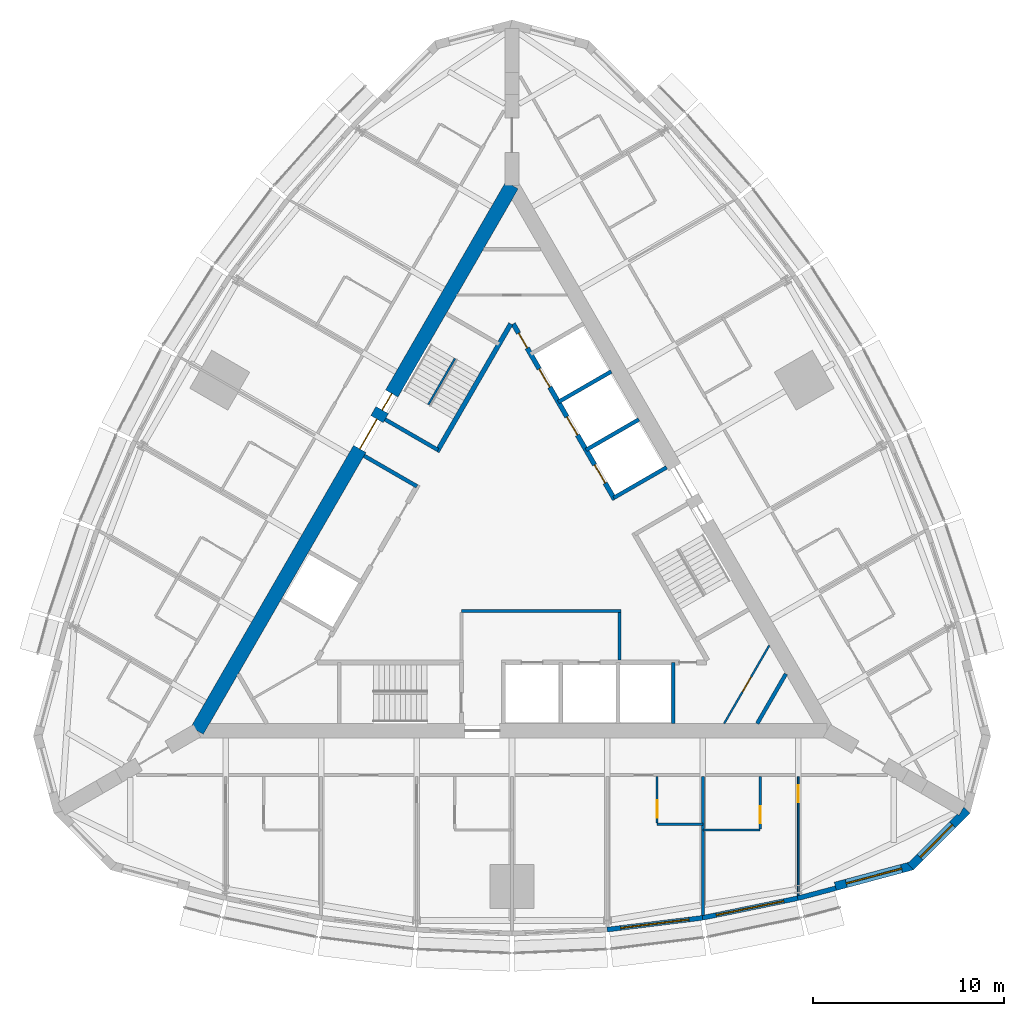
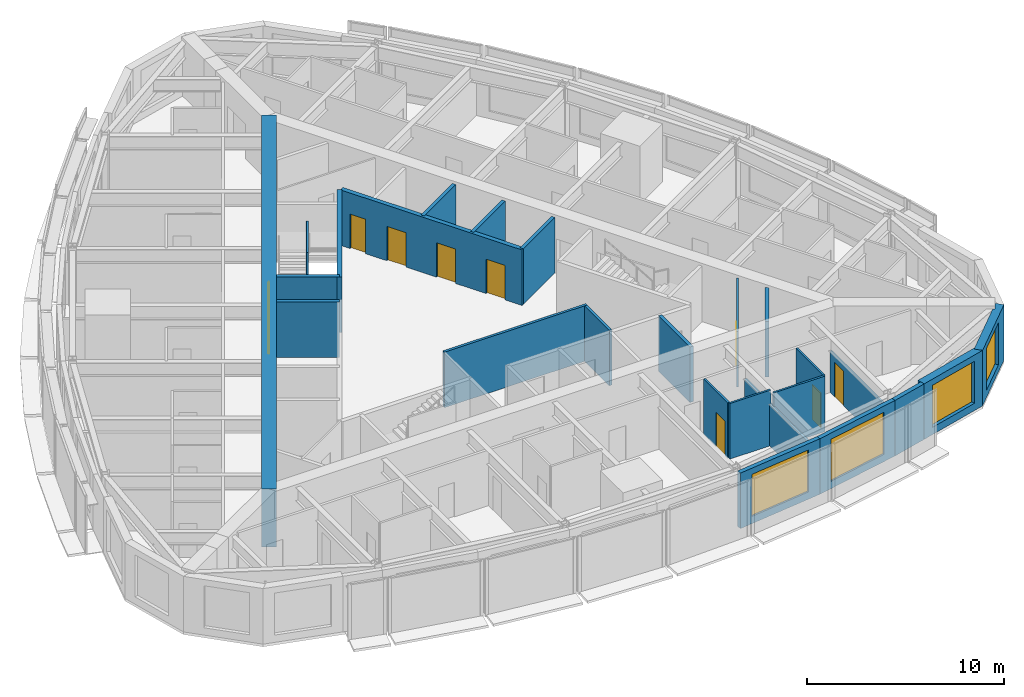
# One storey, part 11 of 15: 25 walls, 10 doors, 4 windows, 14 openings.
"""IFC4 building model written with IfcOpenShell, lengths in metres."""

from ifc_helpers import new_model, si_unit, direction, frame, frame_2d, origin, place, context, subcontext, project, spatial, polyline, rectangle, outline, extrude, material, layer, layer_set, type_object, element, fill, save


model = new_model("IFC4")

# Units and contexts
model_context = context("Model", 3, precision=1e-05, world=origin(), true_north=direction((0.0, 1.0)))
body_context = subcontext(model_context, "Body", "Model", "MODEL_VIEW")
ifc_project = project(units=[si_unit("LENGTHUNIT", "METRE"), si_unit("AREAUNIT", "SQUARE_METRE"), si_unit("VOLUMEUNIT", "CUBIC_METRE"), si_unit("PLANEANGLEUNIT", "RADIAN"), si_unit("MASSUNIT", "GRAM", prefix="KILO")], contexts=[model_context])

# Site, building, storey
site_placement = place(None, origin())
site = spatial("IfcSite", under=ifc_project, at=site_placement, CompositionType="ELEMENT")
building_placement = place(site_placement, origin())
building = spatial("IfcBuilding", under=site, at=building_placement, Name="Trikona Tower", CompositionType="ELEMENT")
storey_placement = place(building_placement, frame((0.0, 0.0, 211.699951171875)))
storey = spatial("IfcBuildingStorey", under=building, at=storey_placement, Name="L56", CompositionType="ELEMENT", Elevation=211.699951171875)

# Wall
ifc_material_1 = material(Name="Metal stud and cement board", Category="gypsum")
ifc_layer_1 = layer(ifc_material_1, 0.1201171875)
ifc_layer_set_1 = layer_set([ifc_layer_1], Name="Bathroom wall 120")
wall_type_1 = type_object("IfcWallType", Name="Bathroom wall 120", PredefinedType="PLUMBINGWALL", material=ifc_layer_set_1)
wall_1_placement = place(storey_placement, frame((7.60009765625, -14.42626953125, 0.0), z_axis=(0.0, 0.0, 1.0), x_axis=(1.0, 0.0, 0.0)))
element("IfcWall", 1, at=wall_1_placement, inside=storey, type_object=wall_type_1, Name="Bathroom wall 5603", PredefinedType="PLUMBINGWALL", context=body_context, shape_type="SweptSolid", body=[
    extrude(rectangle(XDim=2.39990234375, YDim=0.1201171875, at=frame_2d((1.199951171875, 0.0))), origin(), (0.0, 0.0, 1.0), 3.43505859375),
])

# Wall, opening, door
wall_2_placement = place(storey_placement, frame((7.60009765625, -11.92626953125, 0.0), z_axis=(0.0, 0.0, 1.0), x_axis=(0.0, -1.0, 0.0)))
wall_2 = element("IfcWall", 2, at=wall_2_placement, inside=storey, type_object=wall_type_1, Name="Bathroom wall 5603", PredefinedType="PLUMBINGWALL", context=body_context, shape_type="SweptSolid", body=[
    extrude(rectangle(XDim=2.43994140625, YDim=0.1201171875, at=frame_2d((1.219970703125, 0.0))), origin(), (0.0, 0.0, 1.0), 3.43505859375),
])
opening_1_placement = place(wall_2_placement, frame((1.25, 0.0, 0.0)))
opening_1 = element("IfcOpeningElement", 3, at=opening_1_placement, cuts=wall_2, Name="Opening D2", PredefinedType="OPENING", context=body_context, shape_type="SweptSolid", body=[
    extrude(rectangle(XDim=0.89990234375, YDim=2.1298828125, at=frame_2d((0.449951171875, 1.06494140625))), frame((0.0, 0.070068359375, 0.0), z_axis=(0.0, -1.0, 0.0), x_axis=(1.0, 0.0, 0.0)), (0.0, 0.0, 1.0), 0.14013671875),
])
ifc_material_2 = material(Name="Steel door frame with solid-core timber leaf", Category="steel")
door_type_1 = type_object("IfcDoorType", Name="Bathroom door 900x2130", OperationType="SLIDING_TO_LEFT", PredefinedType="DOOR", material=ifc_material_2)
door_1_placement = place(opening_1_placement, origin())
door_1 = element("IfcDoor", 4, at=door_1_placement, inside=storey, type_object=door_type_1, Name="Bathroom door 5603", OperationType="SLIDING_TO_LEFT", OverallHeight=2.1298828125, OverallWidth=0.89990234375, PredefinedType="DOOR", context=body_context, shape_type="SweptSolid", body=[
    extrude(rectangle(XDim=0.89990234375, YDim=2.1298828125, at=frame_2d((0.449951171875, 1.06494140625))), frame((0.0, 0.02490234375, 0.0), z_axis=(0.0, -1.0, 0.0), x_axis=(1.0, 0.0, 0.0)), (0.0, 0.0, 1.0), 0.050048828125),
])
fill(opening_1, door_1)

# Wall
wall_3_placement = place(storey_placement, frame((10.0, -14.726318359375, 0.0), z_axis=(0.0, 0.0, 1.0), x_axis=(1.0, 0.0, 0.0)))
element("IfcWall", 5, at=wall_3_placement, inside=storey, type_object=wall_type_1, Name="Bathroom wall 5604.1", PredefinedType="PLUMBINGWALL", context=body_context, shape_type="SweptSolid", body=[
    extrude(rectangle(XDim=3.0, YDim=0.1201171875, at=frame_2d((1.5, 0.0))), origin(), (0.0, 0.0, 1.0), 3.43505859375),
])

# Wall, opening, door
wall_4_placement = place(storey_placement, frame((13.0, -11.92626953125, 0.0), z_axis=(0.0, 0.0, 1.0), x_axis=(0.0, -1.0, 0.0)))
wall_4 = element("IfcWall", 6, at=wall_4_placement, inside=storey, type_object=wall_type_1, Name="Bathroom wall 5604.1", PredefinedType="PLUMBINGWALL", context=body_context, shape_type="SweptSolid", body=[
    extrude(rectangle(XDim=2.739990234375, YDim=0.1201171875, at=frame_2d((1.3701171875, 0.0))), origin(), (0.0, 0.0, 1.0), 3.43505859375),
])
opening_2_placement = place(wall_4_placement, frame((1.550048828125, 0.0, 0.0)))
opening_2 = element("IfcOpeningElement", 7, at=opening_2_placement, cuts=wall_4, Name="Opening D2", PredefinedType="OPENING", context=body_context, shape_type="SweptSolid", body=[
    extrude(rectangle(XDim=0.89990234375, YDim=2.1298828125, at=frame_2d((0.449951171875, 1.06494140625))), frame((0.0, 0.070068359375, 0.0), z_axis=(0.0, -1.0, 0.0), x_axis=(1.0, 0.0, 0.0)), (0.0, 0.0, 1.0), 0.14013671875),
])
door_2_placement = place(opening_2_placement, origin())
door_2 = element("IfcDoor", 8, at=door_2_placement, inside=storey, type_object=door_type_1, Name="Bathroom door 5604.1", OperationType="SLIDING_TO_LEFT", OverallHeight=2.1298828125, OverallWidth=0.89990234375, PredefinedType="DOOR", context=body_context, shape_type="SweptSolid", body=[
    extrude(rectangle(XDim=0.89990234375, YDim=2.1298828125, at=frame_2d((0.449951171875, 1.06494140625))), frame((0.0, 0.02490234375, 0.0), z_axis=(0.0, -1.0, 0.0), x_axis=(1.0, 0.0, 0.0)), (0.0, 0.0, 1.0), 0.050048828125),
])
fill(opening_2, door_2)

# Wall, opening, window
ifc_material_3 = material(Name="Brick-faced precast concrete", Category="masonry")
ifc_layer_2 = layer(ifc_material_3, 0.449951171875)
ifc_layer_set_2 = layer_set([ifc_layer_2], Name="Brick-faced corner wall 450")
wall_type_2 = type_object("IfcWallType", Name="Brick-faced corner wall 450", PredefinedType="SOLIDWALL", material=ifc_layer_set_2)
wall_5_placement = place(storey_placement, frame((16.94189453125, -17.6806640625, 0.0), z_axis=(0.0, 0.0, 1.0), x_axis=(0.965920442324, 0.258839137498, 0.0)))
wall_5 = element("IfcWall", 9, at=wall_5_placement, inside=storey, type_object=wall_type_2, Name="External wall L56-08", PredefinedType="SOLIDWALL", context=body_context, shape_type="SweptSolid", body=[
    extrude(rectangle(XDim=4.18408203125, YDim=0.449951171875, at=frame_2d((2.092041015625, 0.0))), origin(), (0.0, 0.0, 1.0), 3.43505859375),
])
opening_3_placement = place(wall_5_placement, frame((0.592041015625, 0.0, 0.449951171875)))
opening_3 = element("IfcOpeningElement", 10, at=opening_3_placement, cuts=wall_5, Name="Opening W3026", PredefinedType="OPENING", context=body_context, shape_type="SweptSolid", body=[
    extrude(rectangle(XDim=3.0, YDim=2.60009765625, at=frame_2d((1.5, 1.300048828125))), frame((0.0, 0.23486328125, 0.0), z_axis=(0.0, -1.0, 0.0), x_axis=(1.0, 0.0, 0.0)), (0.0, 0.0, 1.0), 0.469970703125),
])
ifc_material_4 = material(Name="Aluminium-framed double glazing", Category="aluminium")
window_type_1 = type_object("IfcWindowType", Name="Window 3000x2600", PartitioningType="SINGLE_PANEL", PredefinedType="WINDOW", material=ifc_material_4)
window_1_placement = place(opening_3_placement, origin())
window_1 = element("IfcWindow", 11, at=window_1_placement, inside=storey, type_object=window_type_1, Name="Window 5604", OverallHeight=2.60009765625, OverallWidth=3.0, PartitioningType="SINGLE_PANEL", PredefinedType="WINDOW", context=body_context, shape_type="SweptSolid", body=[
    extrude(rectangle(XDim=3.0, YDim=2.60009765625, at=frame_2d((1.5, 1.300048828125))), frame((0.0, 0.030029296875, 0.0), z_axis=(0.0, -1.0, 0.0), x_axis=(1.0, 0.0, 0.0)), (0.0, 0.0, 1.0), 0.06005859375),
])
fill(opening_3, window_1)

wall_6_placement = place(storey_placement, frame((20.88232421875, -16.656005859375, 0.0), z_axis=(0.0, 0.0, 1.0), x_axis=(0.707077605902, 0.707135955267, 0.0)))
wall_6 = element("IfcWall", 12, at=wall_6_placement, inside=storey, type_object=wall_type_2, Name="External wall L56-09", PredefinedType="SOLIDWALL", context=body_context, shape_type="SweptSolid", body=[
    extrude(outline(polyline([(4.18408203125, 0.22509765625), (4.125244140625, 0.22509765625), (3.705322265625, 0.112548828125), (3.67529296875, 0.22509765625), (0.0, 0.22509765625), (0.0, -0.22509765625), (4.18408203125, -0.22509765625), (4.18408203125, 0.22509765625)])), origin(), (0.0, 0.0, 1.0), 3.43505859375),
])
opening_4_placement = place(wall_6_placement, frame((0.712646484375, 0.0, 0.449951171875)))
opening_4 = element("IfcOpeningElement", 13, at=opening_4_placement, cuts=wall_6, Name="Opening W2426", PredefinedType="OPENING", context=body_context, shape_type="SweptSolid", body=[
    extrude(rectangle(XDim=2.39990234375, YDim=2.60009765625, at=frame_2d((1.199951171875, 1.300048828125))), frame((0.0, 0.23486328125, 0.0), z_axis=(0.0, -1.0, 0.0), x_axis=(1.0, 0.0, 0.0)), (0.0, 0.0, 1.0), 0.469970703125),
])
ifc_material_5 = material(Name="Aluminium-framed double glazing", Category="aluminium")
window_type_2 = type_object("IfcWindowType", Name="Window 2400x2600", PartitioningType="SINGLE_PANEL", PredefinedType="WINDOW", material=ifc_material_5)
window_2_placement = place(opening_4_placement, origin())
window_2 = element("IfcWindow", 14, at=window_2_placement, inside=storey, type_object=window_type_2, Name="Window 5604", OverallHeight=2.60009765625, OverallWidth=2.39990234375, PartitioningType="SINGLE_PANEL", PredefinedType="WINDOW", context=body_context, shape_type="SweptSolid", body=[
    extrude(rectangle(XDim=2.39990234375, YDim=2.60009765625, at=frame_2d((1.199951171875, 1.300048828125))), frame((0.0, 0.030029296875, 0.0), z_axis=(0.0, -1.0, 0.0), x_axis=(1.0, 0.0, 0.0)), (0.0, 0.0, 1.0), 0.06005859375),
])
fill(opening_4, window_2)

# Wall, openings, doors
ifc_material_6 = material(Name="Concrete f'c 10000 psi", Category="concrete")
ifc_layer_3 = layer(ifc_material_6, 0.75)
ifc_layer_set_3 = layer_set([ifc_layer_3], Name="Core wall 750")
wall_type_3 = type_object("IfcWallType", Name="Core wall 750", PredefinedType="SHEAR", material=ifc_layer_set_3)
wall_7_placement = place(storey_placement, frame((0.0, 19.052490234375, 0.0), z_axis=(0.0, 0.0, 1.0), x_axis=(-0.499999749417, -0.866025548458, 0.0)))
wall_7 = element("IfcWall", 15, at=wall_7_placement, inside=storey, type_object=wall_type_3, Name="Core wall C", PredefinedType="SHEAR", context=body_context, shape_type="SweptSolid", body=[
    extrude(rectangle(XDim=33.0, YDim=0.75, at=frame_2d((16.5, 0.0))), origin(), (0.0, 0.0, 1.0), 3.60009765625),
])
opening_5_placement = place(wall_7_placement, frame((14.14990234375, 0.0, 0.0)))
opening_5 = element("IfcOpeningElement", 16, at=opening_5_placement, cuts=wall_7, Name="Opening D6", PredefinedType="OPENING", context=body_context, shape_type="SweptSolid", body=[
    extrude(rectangle(XDim=1.800048828125, YDim=2.1298828125, at=frame_2d((0.89990234375, 1.06494140625))), frame((0.0, 0.385009765625, 0.0), z_axis=(0.0, -1.0, 0.0), x_axis=(1.0, 0.0, 0.0)), (0.0, 0.0, 1.0), 0.77001953125),
])
opening_6_placement = place(wall_7_placement, frame((12.60009765625, 0.0, 0.0)))
opening_6 = element("IfcOpeningElement", 17, at=opening_6_placement, cuts=wall_7, Name="Opening D5", PredefinedType="OPENING", context=body_context, shape_type="SweptSolid", body=[
    extrude(rectangle(XDim=1.0, YDim=2.1298828125, at=frame_2d((0.5, 1.06494140625))), frame((0.0, 0.385009765625, 0.0), z_axis=(0.0, -1.0, 0.0), x_axis=(1.0, 0.0, 0.0)), (0.0, 0.0, 1.0), 0.77001953125),
])
ifc_material_7 = material(Name="Hollow metal door and frame", Category="steel")
door_type_2 = type_object("IfcDoorType", Name="Lobby door pair 1800x2130", OperationType="DOUBLE_DOOR_SINGLE_SWING", PredefinedType="DOOR", material=ifc_material_7)
door_3_placement = place(opening_5_placement, origin())
door_3 = element("IfcDoor", 18, at=door_3_placement, inside=storey, type_object=door_type_2, Name="Lift lobby door C", OperationType="DOUBLE_DOOR_SINGLE_SWING", OverallHeight=2.1298828125, OverallWidth=1.800048828125, PredefinedType="DOOR", context=body_context, shape_type="SweptSolid", body=[
    extrude(rectangle(XDim=1.800048828125, YDim=2.1298828125, at=frame_2d((0.89990234375, 1.06494140625))), frame((0.0, 0.02490234375, 0.0), z_axis=(0.0, -1.0, 0.0), x_axis=(1.0, 0.0, 0.0)), (0.0, 0.0, 1.0), 0.050048828125),
])
fill(opening_5, door_3)
ifc_material_8 = material(Name="Hollow metal door and frame", Category="steel")
door_type_3 = type_object("IfcDoorType", Name="Stair door 1000x2130", OperationType="SINGLE_SWING_LEFT", PredefinedType="DOOR", material=ifc_material_8)
door_4_placement = place(opening_6_placement, origin())
door_4 = element("IfcDoor", 19, at=door_4_placement, inside=storey, type_object=door_type_3, Name="Stair C door", OperationType="SINGLE_SWING_RIGHT", OverallHeight=2.1298828125, OverallWidth=1.0, PredefinedType="DOOR", context=body_context, shape_type="SweptSolid", body=[
    extrude(rectangle(XDim=1.0, YDim=2.1298828125, at=frame_2d((0.5, 1.06494140625))), frame((0.0, 0.02490234375, 0.0), z_axis=(0.0, -1.0, 0.0), x_axis=(1.0, 0.0, 0.0)), (0.0, 0.0, 1.0), 0.050048828125),
])
fill(opening_6, door_4)

ifc_material_9 = material(Name="Concrete f'c 8000 psi", Category="concrete")
ifc_layer_4 = layer(ifc_material_9, 0.25)
ifc_layer_set_4 = layer_set([ifc_layer_4], Name="Hub wall 250")
wall_type_4 = type_object("IfcWallType", Name="Hub wall 250", PredefinedType="SOLIDWALL", material=ifc_layer_set_4)
wall_8_placement = place(storey_placement, frame((5.37890625, 2.5859375, 0.0), z_axis=(0.0, 0.0, 1.0), x_axis=(-0.500001375892, 0.866024609411, 0.0)))
wall_8 = element("IfcWall", 20, at=wall_8_placement, inside=storey, type_object=wall_type_4, Name="Lift lobby wall B2", PredefinedType="SOLIDWALL", context=body_context, shape_type="SweptSolid", body=[
    extrude(rectangle(XDim=10.6328125, YDim=0.25, at=frame_2d((5.31640625, 0.0))), origin(), (0.0, 0.0, 1.0), 3.43505859375),
])
opening_7_placement = place(wall_8_placement, frame((9.1640625, 0.0, 0.0)))
opening_7 = element("IfcOpeningElement", 21, at=opening_7_placement, cuts=wall_8, Name="Opening D14", PredefinedType="OPENING", context=body_context, shape_type="SweptSolid", body=[
    extrude(rectangle(XDim=0.89990234375, YDim=2.1298828125, at=frame_2d((0.449951171875, 1.06494140625))), frame((0.0, 0.135009765625, 0.0), z_axis=(0.0, -1.0, 0.0), x_axis=(1.0, 0.0, 0.0)), (0.0, 0.0, 1.0), 0.27001953125),
])
opening_8_placement = place(wall_8_placement, frame((1.0, 0.0, 0.0)))
opening_8 = element("IfcOpeningElement", 22, at=opening_8_placement, cuts=wall_8, Name="Opening LD", PredefinedType="OPENING", context=body_context, shape_type="SweptSolid", body=[
    extrude(rectangle(XDim=1.10009765625, YDim=2.1298828125, at=frame_2d((0.550048828125, 1.06494140625))), frame((0.0, 0.135009765625, 0.0), z_axis=(0.0, -1.0, 0.0), x_axis=(1.0, 0.0, 0.0)), (0.0, 0.0, 1.0), 0.27001953125),
])
opening_9_placement = place(wall_8_placement, frame((3.89990234375, 0.0, 0.0)))
opening_9 = element("IfcOpeningElement", 23, at=opening_9_placement, cuts=wall_8, Name="Opening LD", PredefinedType="OPENING", context=body_context, shape_type="SweptSolid", body=[
    extrude(rectangle(XDim=1.10009765625, YDim=2.1298828125, at=frame_2d((0.550048828125, 1.06494140625))), frame((0.0, 0.135009765625, 0.0), z_axis=(0.0, -1.0, 0.0), x_axis=(1.0, 0.0, 0.0)), (0.0, 0.0, 1.0), 0.27001953125),
])
opening_10_placement = place(wall_8_placement, frame((6.800048828125, 0.0, 0.0)))
opening_10 = element("IfcOpeningElement", 24, at=opening_10_placement, cuts=wall_8, Name="Opening LD", PredefinedType="OPENING", context=body_context, shape_type="SweptSolid", body=[
    extrude(rectangle(XDim=1.10009765625, YDim=2.1298828125, at=frame_2d((0.550048828125, 1.06494140625))), frame((0.0, 0.135009765625, 0.0), z_axis=(0.0, -1.0, 0.0), x_axis=(1.0, 0.0, 0.0)), (0.0, 0.0, 1.0), 0.27001953125),
])
ifc_material_10 = material(Name="Stainless steel lift landing door", Category="steel")
door_type_4 = type_object("IfcDoorType", Name="Lift landing door 1100x2130", OperationType="DOUBLE_DOOR_SLIDING", PredefinedType="USERDEFINED", material=ifc_material_10)
door_5_placement = place(opening_8_placement, origin())
door_5 = element("IfcDoor", 25, at=door_5_placement, inside=storey, type_object=door_type_4, Name="Lift landing door L3-1", ObjectType="LIFT LANDING DOOR", OperationType="DOUBLE_DOOR_SLIDING", OverallHeight=2.1298828125, OverallWidth=1.10009765625, PredefinedType="USERDEFINED", context=body_context, shape_type="SweptSolid", body=[
    extrude(rectangle(XDim=1.10009765625, YDim=2.1298828125, at=frame_2d((0.550048828125, 1.06494140625))), frame((0.0, 0.02490234375, 0.0), z_axis=(0.0, -1.0, 0.0), x_axis=(1.0, 0.0, 0.0)), (0.0, 0.0, 1.0), 0.050048828125),
])
fill(opening_8, door_5)
door_6_placement = place(opening_9_placement, origin())
door_6 = element("IfcDoor", 26, at=door_6_placement, inside=storey, type_object=door_type_4, Name="Lift landing door L3-2", ObjectType="LIFT LANDING DOOR", OperationType="DOUBLE_DOOR_SLIDING", OverallHeight=2.1298828125, OverallWidth=1.10009765625, PredefinedType="USERDEFINED", context=body_context, shape_type="SweptSolid", body=[
    extrude(rectangle(XDim=1.10009765625, YDim=2.1298828125, at=frame_2d((0.550048828125, 1.06494140625))), frame((0.0, 0.02490234375, 0.0), z_axis=(0.0, -1.0, 0.0), x_axis=(1.0, 0.0, 0.0)), (0.0, 0.0, 1.0), 0.050048828125),
])
fill(opening_9, door_6)
door_7_placement = place(opening_10_placement, origin())
door_7 = element("IfcDoor", 27, at=door_7_placement, inside=storey, type_object=door_type_4, Name="Lift landing door L3-3", ObjectType="LIFT LANDING DOOR", OperationType="DOUBLE_DOOR_SLIDING", OverallHeight=2.1298828125, OverallWidth=1.10009765625, PredefinedType="USERDEFINED", context=body_context, shape_type="SweptSolid", body=[
    extrude(rectangle(XDim=1.10009765625, YDim=2.1298828125, at=frame_2d((0.550048828125, 1.06494140625))), frame((0.0, 0.02490234375, 0.0), z_axis=(0.0, -1.0, 0.0), x_axis=(1.0, 0.0, 0.0)), (0.0, 0.0, 1.0), 0.050048828125),
])
fill(opening_10, door_7)
ifc_material_11 = material(Name="Hollow metal door and frame", Category="steel")
door_type_5 = type_object("IfcDoorType", Name="Service room door 900x2130", OperationType="SINGLE_SWING_LEFT", PredefinedType="DOOR", material=ifc_material_11)
door_8_placement = place(opening_7_placement, origin())
door_8 = element("IfcDoor", 28, at=door_8_placement, inside=storey, type_object=door_type_5, Name="Door Linen store LIN", OperationType="SINGLE_SWING_RIGHT", OverallHeight=2.1298828125, OverallWidth=0.89990234375, PredefinedType="DOOR", context=body_context, shape_type="SweptSolid", body=[
    extrude(rectangle(XDim=0.89990234375, YDim=2.1298828125, at=frame_2d((0.449951171875, 1.06494140625))), frame((0.0, 0.02490234375, 0.0), z_axis=(0.0, -1.0, 0.0), x_axis=(1.0, 0.0, 0.0)), (0.0, 0.0, 1.0), 0.050048828125),
])
fill(opening_7, door_8)

# Wall
wall_9_placement = place(storey_placement, frame((-0.0625, 11.794189453125, 0.0), z_axis=(0.0, 0.0, 1.0), x_axis=(-0.500006680225, -0.86602154692, 0.0)))
element("IfcWall", 29, at=wall_9_placement, inside=storey, type_object=wall_type_4, Name="Lift lobby wall C1", PredefinedType="SOLIDWALL", context=body_context, shape_type="SweptSolid", body=[
    extrude(rectangle(XDim=7.73291015625, YDim=0.25, at=frame_2d((3.866455078125, 0.0))), origin(), (0.0, 0.0, 1.0), 3.43505859375),
])

# Wall, opening, window
ifc_material_12 = material(Name="Insulated precast concrete spandrel panel", Category="concrete")
ifc_layer_5 = layer(ifc_material_12, 0.25)
ifc_layer_set_5 = layer_set([ifc_layer_5], Name="Inner skin wall 250")
wall_type_5 = type_object("IfcWallType", Name="Inner skin wall 250", PredefinedType="STANDARD", material=ifc_layer_set_5)
wall_10_placement = place(storey_placement, frame((4.984619140625, -19.947998046875, 0.0), z_axis=(0.0, 0.0, 1.0), x_axis=(0.992449874964, 0.12265090984, 0.0)))
wall_10 = element("IfcWall", 30, at=wall_10_placement, inside=storey, type_object=wall_type_5, Name="External wall L56-05", PredefinedType="STANDARD", context=body_context, shape_type="SweptSolid", body=[
    extrude(rectangle(XDim=5.0380859375, YDim=0.25, at=frame_2d((2.51904296875, 0.0))), origin(), (0.0, 0.0, 1.0), 3.43505859375),
])
opening_11_placement = place(wall_10_placement, frame((0.718994140625, 0.0, 0.449951171875)))
opening_11 = element("IfcOpeningElement", 31, at=opening_11_placement, cuts=wall_10, Name="Opening W3626", PredefinedType="OPENING", context=body_context, shape_type="SweptSolid", body=[
    extrude(rectangle(XDim=3.60009765625, YDim=2.60009765625, at=frame_2d((1.800048828125, 1.300048828125))), frame((0.0, 0.135009765625, 0.0), z_axis=(0.0, -1.0, 0.0), x_axis=(1.0, 0.0, 0.0)), (0.0, 0.0, 1.0), 0.27001953125),
])
ifc_material_13 = material(Name="Aluminium-framed double glazing", Category="aluminium")
window_type_3 = type_object("IfcWindowType", Name="Window 3600x2600", PartitioningType="SINGLE_PANEL", PredefinedType="WINDOW", material=ifc_material_13)
window_3_placement = place(opening_11_placement, origin())
window_3 = element("IfcWindow", 32, at=window_3_placement, inside=storey, type_object=window_type_3, Name="Window 5603", OverallHeight=2.60009765625, OverallWidth=3.60009765625, PartitioningType="SINGLE_PANEL", PredefinedType="WINDOW", context=body_context, shape_type="SweptSolid", body=[
    extrude(rectangle(XDim=3.60009765625, YDim=2.60009765625, at=frame_2d((1.800048828125, 1.300048828125))), frame((0.0, 0.030029296875, 0.0), z_axis=(0.0, -1.0, 0.0), x_axis=(1.0, 0.0, 0.0)), (0.0, 0.0, 1.0), 0.06005859375),
])
fill(opening_11, window_3)

wall_11_placement = place(storey_placement, frame((9.974853515625, -19.331787109375, 0.0), z_axis=(0.0, 0.0, 1.0), x_axis=(0.979461488189, 0.201631329795, 0.0)))
wall_11 = element("IfcWall", 33, at=wall_11_placement, inside=storey, type_object=wall_type_5, Name="External wall L56-06", PredefinedType="STANDARD", context=body_context, shape_type="SweptSolid", body=[
    extrude(rectangle(XDim=5.104736328125, YDim=0.25, at=frame_2d((2.55224609375, 0.0))), origin(), (0.0, 0.0, 1.0), 3.43505859375),
])
opening_12_placement = place(wall_11_placement, frame((0.75244140625, 0.0, 0.449951171875)))
opening_12 = element("IfcOpeningElement", 34, at=opening_12_placement, cuts=wall_11, Name="Opening W3626", PredefinedType="OPENING", context=body_context, shape_type="SweptSolid", body=[
    extrude(rectangle(XDim=3.60009765625, YDim=2.60009765625, at=frame_2d((1.800048828125, 1.300048828125))), frame((0.0, 0.135009765625, 0.0), z_axis=(0.0, -1.0, 0.0), x_axis=(1.0, 0.0, 0.0)), (0.0, 0.0, 1.0), 0.27001953125),
])
window_4_placement = place(opening_12_placement, origin())
window_4 = element("IfcWindow", 35, at=window_4_placement, inside=storey, type_object=window_type_3, Name="Window 5604.1", OverallHeight=2.60009765625, OverallWidth=3.60009765625, PartitioningType="SINGLE_PANEL", PredefinedType="WINDOW", context=body_context, shape_type="SweptSolid", body=[
    extrude(rectangle(XDim=3.60009765625, YDim=2.60009765625, at=frame_2d((1.800048828125, 1.300048828125))), frame((0.0, 0.030029296875, 0.0), z_axis=(0.0, -1.0, 0.0), x_axis=(1.0, 0.0, 0.0)), (0.0, 0.0, 1.0), 0.06005859375),
])
fill(opening_12, window_4)

# Walls
wall_12_placement = place(storey_placement, frame((14.968017578125, -18.303955078125, 0.0), z_axis=(0.0, 0.0, 1.0), x_axis=(0.967010286052, 0.254737328772, 0.0)))
element("IfcWall", 36, at=wall_12_placement, inside=storey, type_object=wall_type_5, Name="External wall L56-07", PredefinedType="STANDARD", context=body_context, shape_type="SweptSolid", body=[
    extrude(rectangle(XDim=2.068115234375, YDim=0.25, at=frame_2d((1.0341796875, 0.0))), origin(), (0.0, 0.0, 1.0), 3.43505859375),
])
ifc_material_14 = material(Name="Metal stud and gypsum board, 2-hour shaft wall", Category="gypsum")
ifc_layer_6 = layer(ifc_material_14, 0.14990234375)
ifc_layer_set_6 = layer_set([ifc_layer_6], Name="Lobby wall 150")
wall_type_6 = type_object("IfcWallType", Name="Lobby wall 150", PredefinedType="PARTITIONING", material=ifc_layer_set_6)
wall_13_placement = place(storey_placement, frame((-2.64990234375, -3.251220703125, 0.0), z_axis=(0.0, 0.0, 1.0), x_axis=(1.0, 0.0, 0.0)))
element("IfcWall", 37, at=wall_13_placement, inside=storey, type_object=wall_type_6, Name="Fire service lift lobby wall 1", PredefinedType="PARTITIONING", context=body_context, shape_type="SweptSolid", body=[
    extrude(rectangle(XDim=8.349853515625, YDim=0.14990234375, at=frame_2d((4.1748046875, 0.0))), origin(), (0.0, 0.0, 1.0), 3.43505859375),
])
wall_14_placement = place(storey_placement, frame((5.625, -5.826416015625, 0.0), z_axis=(0.0, 0.0, 1.0), x_axis=(0.0, 1.0, 0.0)))
element("IfcWall", 38, at=wall_14_placement, inside=storey, type_object=wall_type_6, Name="Fire service lift lobby wall 3", PredefinedType="PARTITIONING", context=body_context, shape_type="SweptSolid", body=[
    extrude(rectangle(XDim=2.5, YDim=0.14990234375, at=frame_2d((1.25, 0.0))), origin(), (0.0, 0.0, 1.0), 3.43505859375),
])
ifc_material_15 = material(Name="Metal stud and gypsum board, 1-hour acoustic", Category="gypsum")
ifc_layer_7 = layer(ifc_material_15, 0.14990234375)
ifc_layer_set_7 = layer_set([ifc_layer_7], Name="Party wall 150")
wall_type_7 = type_object("IfcWallType", Name="Party wall 150", PredefinedType="PARTITIONING", material=ifc_layer_set_7)
wall_15_placement = place(storey_placement, frame((10.0, -11.92626953125, 0.0), z_axis=(0.0, 0.0, 1.0), x_axis=(0.0, -1.0, 0.0)))
element("IfcWall", 39, at=wall_15_placement, inside=storey, type_object=wall_type_7, Name="Partition L56 F1 u10", PredefinedType="PARTITIONING", context=body_context, shape_type="SweptSolid", body=[
    extrude(rectangle(XDim=7.27294921875, YDim=0.14990234375, at=frame_2d((3.636474609375, 0.0))), origin(), (0.0, 0.0, 1.0), 2.58935546875),
])
ifc_material_16 = material(Name="Concrete f'c 8000 psi", Category="concrete")
ifc_layer_8 = layer(ifc_material_16, 0.199951171875)
ifc_layer_set_8 = layer_set([ifc_layer_8], Name="Shaft wall 200")
wall_type_8 = type_object("IfcWallType", Name="Shaft wall 200", PredefinedType="SOLIDWALL", material=ifc_layer_set_8)
wall_16_placement = place(storey_placement, frame((8.449951171875, -5.951416015625, 0.0), z_axis=(0.0, 0.0, 1.0), x_axis=(0.0, -1.0, 0.0)))
element("IfcWall", 40, at=wall_16_placement, inside=storey, type_object=wall_type_8, Name="Shaft wall A6", PredefinedType="SOLIDWALL", context=body_context, shape_type="SweptSolid", body=[
    extrude(rectangle(XDim=3.199951171875, YDim=0.199951171875, at=frame_2d((1.60009765625, 0.0))), origin(), (0.0, 0.0, 1.0), 3.43505859375),
])
wall_17_placement = place(storey_placement, frame((5.3291015625, 2.672607421875, 0.0), z_axis=(0.0, 0.0, 1.0), x_axis=(0.866022944154, 0.50000426018, 0.0)))
element("IfcWall", 41, at=wall_17_placement, inside=storey, type_object=wall_type_8, Name="Shaft wall B3", PredefinedType="SOLIDWALL", context=body_context, shape_type="SweptSolid", body=[
    extrude(rectangle(XDim=3.19970703125, YDim=0.199951171875, at=frame_2d((1.599853515625, 0.0))), origin(), (0.0, 0.0, 1.0), 3.43505859375),
])
for number, where, z_axis, x_axis, name in (
    (42, (3.87890625, 5.18408203125, 0.0), (0.0, 0.0, 1.0), (0.866042017984, 0.499971222258, 0.0), "Shaft wall B4"),
    (43, (2.428955078125, 7.695556640625, 0.0), (0.0, 0.0, 1.0), (0.866042017984, 0.499971222258, 0.0), "Shaft wall B5"),
    (44, (-4.97900390625, 3.27880859375, 0.0), (0.0, 0.0, 1.0), (-0.866042017984, 0.499971222258, 0.0), "Shaft wall C3"),
):
    element("IfcWall", number, at=place(storey_placement, frame(where, z_axis=z_axis, x_axis=x_axis)), inside=storey, type_object=wall_type_8, Name=name, PredefinedType="SOLIDWALL", context=body_context, shape_type="SweptSolid", body=[
        extrude(rectangle(XDim=3.199951171875, YDim=0.199951171875, at=frame_2d((1.60009765625, 0.0))), origin(), (0.0, 0.0, 1.0), 3.43505859375),
    ])
wall_18_placement = place(storey_placement, frame((14.349365234375, -6.55126953125, 0.0), z_axis=(0.0, 0.0, 1.0), x_axis=(-0.499952404951, -0.866052881055, 0.0)))
element("IfcWall", 45, at=wall_18_placement, inside=storey, type_object=wall_type_8, Name="Riser wall L56-RS1", PredefinedType="SOLIDWALL", context=body_context, shape_type="SweptSolid", body=[
    extrude(rectangle(XDim=3.002197265625, YDim=0.199951171875, at=frame_2d((1.5009765625, 0.0))), origin(), (0.0, 0.0, 1.0), 3.43505859375),
])
ifc_material_17 = material(Name="Concrete f'c 8000 psi", Category="concrete")
ifc_layer_9 = layer(ifc_material_17, 0.199951171875)
ifc_layer_set_9 = layer_set([ifc_layer_9], Name="Shaft wall 200 load-bearing")
wall_type_9 = type_object("IfcWallType", Name="Shaft wall 200 load-bearing", PredefinedType="SOLIDWALL", material=ifc_layer_set_9)
wall_19_placement = place(storey_placement, frame((-3.87890625, 5.18408203125, 0.0), z_axis=(0.0, 0.0, 1.0), x_axis=(-0.866042017984, 0.499971222258, 0.0)))
element("IfcWall", 46, at=wall_19_placement, inside=storey, type_object=wall_type_9, Name="Shaft wall C2", PredefinedType="SOLIDWALL", context=body_context, shape_type="SweptSolid", body=[
    extrude(rectangle(XDim=3.199951171875, YDim=0.199951171875, at=frame_2d((1.60009765625, 0.0))), origin(), (0.0, 0.0, 1.0), 3.43505859375),
])
ifc_material_18 = material(Name="Concrete f'c 5000 psi", Category="concrete")
ifc_layer_10 = layer(ifc_material_18, 0.10009765625)
ifc_layer_set_10 = layer_set([ifc_layer_10], Name="Stair spine wall 100")
wall_type_10 = type_object("IfcWallType", Name="Stair spine wall 100", PredefinedType="SOLIDWALL", material=ifc_layer_set_10)
wall_20_placement = place(storey_placement, frame((-2.98779296875, 9.9775390625, 0.0), z_axis=(0.0, 0.0, 1.0), x_axis=(-0.499992232847, -0.866029888106, 0.0)))
element("IfcWall", 47, at=wall_20_placement, inside=storey, type_object=wall_type_10, Name="Stair C spine wall L56", PredefinedType="SOLIDWALL", context=body_context, shape_type="SweptSolid", body=[
    extrude(rectangle(XDim=2.7939453125, YDim=0.10009765625, at=frame_2d((1.39697265625, 0.0))), origin(), (0.0, 0.0, 1.0), 3.60009765625),
])

# Wall, opening, door
ifc_material_19 = material(Name="Metal stud and gypsum board, acoustic", Category="gypsum")
ifc_layer_11 = layer(ifc_material_19, 0.10009765625)
ifc_layer_set_11 = layer_set([ifc_layer_11], Name="Suite partition 100")
wall_type_11 = type_object("IfcWallType", Name="Suite partition 100", PredefinedType="PARTITIONING", material=ifc_layer_set_11)
wall_21_placement = place(storey_placement, frame((15.0, -11.92626953125, 0.0), z_axis=(0.0, 0.0, 1.0), x_axis=(0.0, -1.0, 0.0)))
wall_21 = element("IfcWall", 48, at=wall_21_placement, inside=storey, type_object=wall_type_11, Name="Suite partition L56 F1 u15", PredefinedType="PARTITIONING", context=body_context, shape_type="SweptSolid", body=[
    extrude(rectangle(XDim=6.240234375, YDim=0.10009765625, at=frame_2d((3.1201171875, 0.0))), origin(), (0.0, 0.0, 1.0), 2.58935546875),
])
opening_13_placement = place(wall_21_placement, frame((0.449951171875, 0.0, 0.0)))
opening_13 = element("IfcOpeningElement", 49, at=opening_13_placement, cuts=wall_21, Name="Opening D13", PredefinedType="OPENING", context=body_context, shape_type="SweptSolid", body=[
    extrude(rectangle(XDim=0.89990234375, YDim=2.1298828125, at=frame_2d((0.449951171875, 1.06494140625))), frame((0.0, 0.06005859375, 0.0), z_axis=(0.0, -1.0, 0.0), x_axis=(1.0, 0.0, 0.0)), (0.0, 0.0, 1.0), 0.1201171875),
])
ifc_material_20 = material(Name="Steel door frame with solid-core timber leaf", Category="steel")
door_type_6 = type_object("IfcDoorType", Name="Suite door 900x2130", OperationType="SINGLE_SWING_LEFT", PredefinedType="DOOR", material=ifc_material_20)
door_9_placement = place(opening_13_placement, origin())
door_9 = element("IfcDoor", 50, at=door_9_placement, inside=storey, type_object=door_type_6, Name="Suite door 5604", OperationType="SINGLE_SWING_LEFT", OverallHeight=2.1298828125, OverallWidth=0.89990234375, PredefinedType="DOOR", context=body_context, shape_type="SweptSolid", body=[
    extrude(rectangle(XDim=0.89990234375, YDim=2.1298828125, at=frame_2d((0.449951171875, 1.06494140625))), frame((0.0, 0.02490234375, 0.0), z_axis=(0.0, -1.0, 0.0), x_axis=(1.0, 0.0, 0.0)), (0.0, 0.0, 1.0), 0.050048828125),
])
fill(opening_13, door_9)

wall_22_placement = place(storey_placement, frame((13.4833984375, -5.05126953125, 0.0), z_axis=(0.0, 0.0, 1.0), x_axis=(-0.499999210213, -0.866025859768, 0.0)))
wall_22 = element("IfcWall", 51, at=wall_22_placement, inside=storey, type_object=wall_type_11, Name="Store partition L56-RS1", PredefinedType="PARTITIONING", context=body_context, shape_type="SweptSolid", body=[
    extrude(rectangle(XDim=4.734375, YDim=0.10009765625, at=frame_2d((2.3671875, 0.0))), origin(), (0.0, 0.0, 1.0), 3.43505859375),
])
opening_14_placement = place(wall_22_placement, frame((1.917236328125, 0.0, 0.0)))
opening_14 = element("IfcOpeningElement", 52, at=opening_14_placement, cuts=wall_22, Name="Opening D15", PredefinedType="OPENING", context=body_context, shape_type="SweptSolid", body=[
    extrude(rectangle(XDim=0.89990234375, YDim=2.1298828125, at=frame_2d((0.449951171875, 1.06494140625))), frame((0.0, 0.06005859375, 0.0), z_axis=(0.0, -1.0, 0.0), x_axis=(1.0, 0.0, 0.0)), (0.0, 0.0, 1.0), 0.1201171875),
])
ifc_material_21 = material(Name="Steel door frame with solid-core timber leaf", Category="steel")
door_type_7 = type_object("IfcDoorType", Name="Store door 900x2130", OperationType="SINGLE_SWING_LEFT", PredefinedType="DOOR", material=ifc_material_21)
door_10_placement = place(opening_14_placement, origin())
door_10 = element("IfcDoor", 53, at=door_10_placement, inside=storey, type_object=door_type_7, Name="Door Amenity store AMS", OperationType="SINGLE_SWING_RIGHT", OverallHeight=2.1298828125, OverallWidth=0.89990234375, PredefinedType="DOOR", context=body_context, shape_type="SweptSolid", body=[
    extrude(rectangle(XDim=0.89990234375, YDim=2.1298828125, at=frame_2d((0.449951171875, 1.06494140625))), frame((0.0, 0.02490234375, 0.0), z_axis=(0.0, -1.0, 0.0), x_axis=(1.0, 0.0, 0.0)), (0.0, 0.0, 1.0), 0.050048828125),
])
fill(opening_14, door_10)

save(model, "model.ifc")
